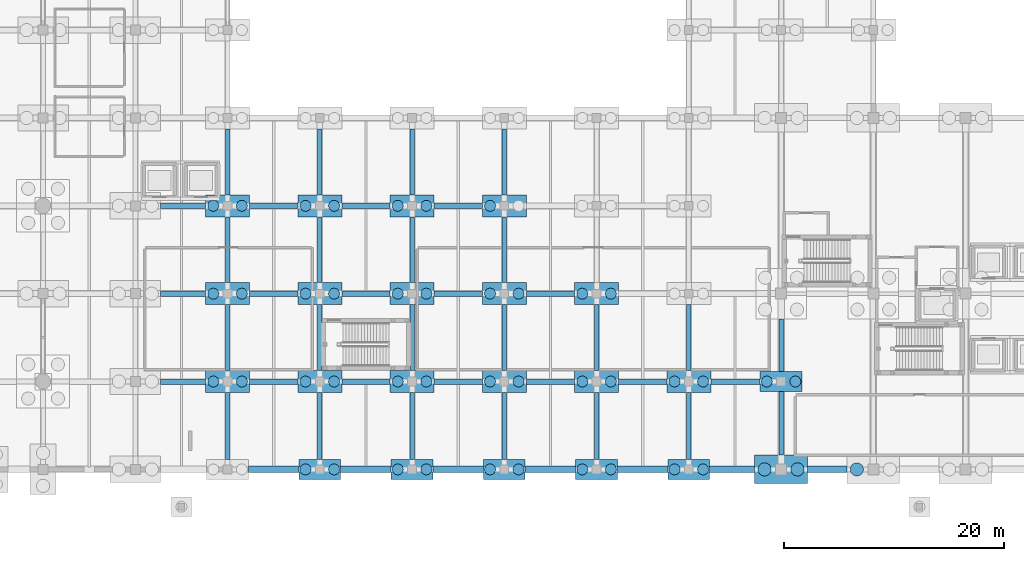
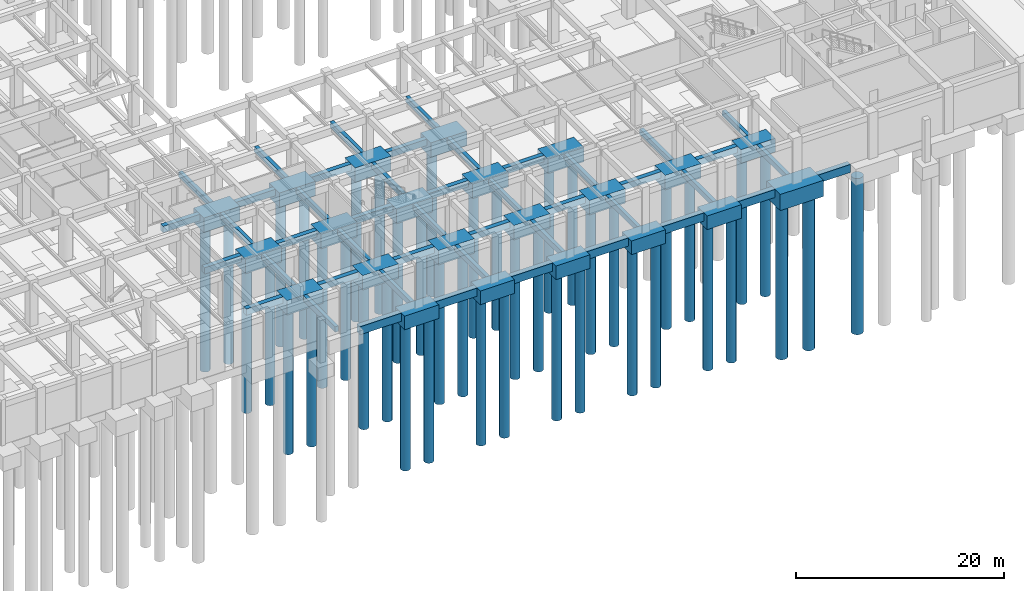
# One storey, part 4 of 56: 67 footings, 44 piles.
"""IFC4 building model written with IfcOpenShell, lengths in metres."""

from ifc_helpers import new_model, si_unit, direction, frame, origin, origin_2d, place, context, subcontext, project, spatial, rectangle, circle, extrude, material, material_profile, profile_set, type_object, element, save


model = new_model("IFC4")

# Units and contexts
model_context = context("Model", 3, precision=1e-05, world=origin(), true_north=direction((0.0, 1.0)))
body_context = subcontext(model_context, "Body", "Model", "MODEL_VIEW")
ifc_project = project(units=[si_unit("LENGTHUNIT", "METRE"), si_unit("AREAUNIT", "SQUARE_METRE"), si_unit("VOLUMEUNIT", "CUBIC_METRE"), si_unit("PLANEANGLEUNIT", "RADIAN"), si_unit("MASSUNIT", "GRAM", prefix="KILO")], contexts=[model_context])

# Site, building, storey
site_placement = place(None, origin())
site = spatial("IfcSite", under=ifc_project, at=site_placement, CompositionType="ELEMENT")
building_placement = place(site_placement, origin())
building = spatial("IfcBuilding", under=site, at=building_placement, Name="Naruveol Harbour Congress Hotel", CompositionType="ELEMENT")
storey_placement = place(building_placement, frame((0.0, 0.0, -5.39990234375)))
storey = spatial("IfcBuildingStorey", under=building, at=storey_placement, Name="B01", CompositionType="ELEMENT", Elevation=-5.39990234375)

# Piles
ifc_material_1 = material(Name="Concrete C40/50", Category="concrete")
ifc_material_profile_1 = material_profile(ifc_material_1, circle(Radius=0.5, at=origin_2d()), Name="BP-1000")
ifc_profile_set_1 = profile_set([ifc_material_profile_1], Name="Concrete C40/50")
pile_type_1 = type_object("IfcPileType", Name="BORED ROCK SOCKETED PILE D1000", PredefinedType="BORED", material=ifc_profile_set_1)
for number, where, z_axis, x_axis, name in (
    (1, (65.89990234375, 8.0, -1.550048828125), (0.0, 0.0, -1.0), (1.0, 0.0, 0.0), "Bored pile BP-1000 #1 under FTG-CAP-0672-0080"),
    (2, (68.5, 8.0, -1.550048828125), (0.0, 0.0, -1.0), (1.0, 0.0, 0.0), "Bored pile BP-1000 #2 under FTG-CAP-0672-0080"),
    (3, (65.89990234375, 16.0, -1.550048828125), (0.0, 0.0, -1.0), (1.0, 0.0, 0.0), "Bored pile BP-1000 #1 under FTG-CAP-0672-0160"),
    (4, (68.5, 16.0, -1.550048828125), (0.0, 0.0, -1.0), (1.0, 0.0, 0.0), "Bored pile BP-1000 #2 under FTG-CAP-0672-0160"),
    (5, (65.89990234375, 24.0, -1.550048828125), (0.0, 0.0, -1.0), (1.0, 0.0, 0.0), "Bored pile BP-1000 #1 under FTG-CAP-0672-0240"),
    (6, (68.5, 24.0, -1.550048828125), (0.0, 0.0, -1.0), (1.0, 0.0, 0.0), "Bored pile BP-1000 #2 under FTG-CAP-0672-0240"),
):
    element("IfcPile", number, at=place(storey_placement, frame(where, z_axis=z_axis, x_axis=x_axis)), inside=storey, type_object=pile_type_1, Name=name, PredefinedType="BORED", context=body_context, shape_type="SweptSolid", body=[
        extrude(circle(Radius=0.5, at=origin_2d()), origin(), (0.0, 0.0, 1.0), 17.050048828125),
    ])
for number, where, z_axis, x_axis, name in (
    (7, (74.300048828125, 0.0, -1.4501953125), (0.0, 0.0, -1.0), (1.0, 0.0, 0.0), "Bored pile BP-1000 #1 under FTG-CAP-0756-0000"),
    (8, (76.89990234375, 0.0, -1.4501953125), (0.0, 0.0, -1.0), (1.0, 0.0, 0.0), "Bored pile BP-1000 #2 under FTG-CAP-0756-0000"),
):
    element("IfcPile", number, at=place(storey_placement, frame(where, z_axis=z_axis, x_axis=x_axis)), inside=storey, type_object=pile_type_1, Name=name, PredefinedType="BORED", context=body_context, shape_type="SweptSolid", body=[
        extrude(circle(Radius=0.5, at=origin_2d()), origin(), (0.0, 0.0, 1.0), 17.14990234375),
    ])
for number, where, z_axis, x_axis, name in (
    (9, (74.300048828125, 8.0, -1.550048828125), (0.0, 0.0, -1.0), (1.0, 0.0, 0.0), "Bored pile BP-1000 #1 under FTG-CAP-0756-0080"),
    (10, (76.89990234375, 8.0, -1.550048828125), (0.0, 0.0, -1.0), (1.0, 0.0, 0.0), "Bored pile BP-1000 #2 under FTG-CAP-0756-0080"),
    (11, (74.300048828125, 16.0, -1.550048828125), (0.0, 0.0, -1.0), (1.0, 0.0, 0.0), "Bored pile BP-1000 #1 under FTG-CAP-0756-0160"),
    (12, (76.89990234375, 16.0, -1.550048828125), (0.0, 0.0, -1.0), (1.0, 0.0, 0.0), "Bored pile BP-1000 #2 under FTG-CAP-0756-0160"),
    (13, (74.300048828125, 24.0, -1.550048828125), (0.0, 0.0, -1.0), (1.0, 0.0, 0.0), "Bored pile BP-1000 #1 under FTG-CAP-0756-0240"),
    (14, (76.89990234375, 24.0, -1.550048828125), (0.0, 0.0, -1.0), (1.0, 0.0, 0.0), "Bored pile BP-1000 #2 under FTG-CAP-0756-0240"),
):
    element("IfcPile", number, at=place(storey_placement, frame(where, z_axis=z_axis, x_axis=x_axis)), inside=storey, type_object=pile_type_1, Name=name, PredefinedType="BORED", context=body_context, shape_type="SweptSolid", body=[
        extrude(circle(Radius=0.5, at=origin_2d()), origin(), (0.0, 0.0, 1.0), 17.050048828125),
    ])
for number, where, z_axis, x_axis, name in (
    (15, (82.699951171875, 0.0, -1.4501953125), (0.0, 0.0, -1.0), (1.0, 0.0, 0.0), "Bored pile BP-1000 #1 under FTG-CAP-0840-0000"),
    (16, (85.300048828125, 0.0, -1.4501953125), (0.0, 0.0, -1.0), (1.0, 0.0, 0.0), "Bored pile BP-1000 #2 under FTG-CAP-0840-0000"),
):
    element("IfcPile", number, at=place(storey_placement, frame(where, z_axis=z_axis, x_axis=x_axis)), inside=storey, type_object=pile_type_1, Name=name, PredefinedType="BORED", context=body_context, shape_type="SweptSolid", body=[
        extrude(circle(Radius=0.5, at=origin_2d()), origin(), (0.0, 0.0, 1.0), 17.14990234375),
    ])
for number, where, z_axis, x_axis, name in (
    (17, (82.699951171875, 8.0, -1.550048828125), (0.0, 0.0, -1.0), (1.0, 0.0, 0.0), "Bored pile BP-1000 #1 under FTG-CAP-0840-0080"),
    (18, (85.300048828125, 8.0, -1.550048828125), (0.0, 0.0, -1.0), (1.0, 0.0, 0.0), "Bored pile BP-1000 #2 under FTG-CAP-0840-0080"),
    (19, (82.699951171875, 16.0, -1.550048828125), (0.0, 0.0, -1.0), (1.0, 0.0, 0.0), "Bored pile BP-1000 #1 under FTG-CAP-0840-0160"),
    (20, (85.300048828125, 16.0, -1.550048828125), (0.0, 0.0, -1.0), (1.0, 0.0, 0.0), "Bored pile BP-1000 #2 under FTG-CAP-0840-0160"),
    (21, (82.699951171875, 24.0, -1.550048828125), (0.0, 0.0, -1.0), (1.0, 0.0, 0.0), "Bored pile BP-1000 #1 under FTG-CAP-0840-0240"),
    (22, (85.300048828125, 24.0, -1.550048828125), (0.0, 0.0, -1.0), (1.0, 0.0, 0.0), "Bored pile BP-1000 #2 under FTG-CAP-0840-0240"),
):
    element("IfcPile", number, at=place(storey_placement, frame(where, z_axis=z_axis, x_axis=x_axis)), inside=storey, type_object=pile_type_1, Name=name, PredefinedType="BORED", context=body_context, shape_type="SweptSolid", body=[
        extrude(circle(Radius=0.5, at=origin_2d()), origin(), (0.0, 0.0, 1.0), 17.050048828125),
    ])
for number, where, z_axis, x_axis, name in (
    (23, (91.10009765625, 0.0, -1.4501953125), (0.0, 0.0, -1.0), (1.0, 0.0, 0.0), "Bored pile BP-1000 #1 under FTG-CAP-0924-0000"),
    (24, (93.699951171875, 0.0, -1.4501953125), (0.0, 0.0, -1.0), (1.0, 0.0, 0.0), "Bored pile BP-1000 #2 under FTG-CAP-0924-0000"),
):
    element("IfcPile", number, at=place(storey_placement, frame(where, z_axis=z_axis, x_axis=x_axis)), inside=storey, type_object=pile_type_1, Name=name, PredefinedType="BORED", context=body_context, shape_type="SweptSolid", body=[
        extrude(circle(Radius=0.5, at=origin_2d()), origin(), (0.0, 0.0, 1.0), 17.14990234375),
    ])
for number, where, z_axis, x_axis, name in (
    (25, (91.10009765625, 8.0, -1.550048828125), (0.0, 0.0, -1.0), (1.0, 0.0, 0.0), "Bored pile BP-1000 #1 under FTG-CAP-0924-0080"),
    (26, (93.699951171875, 8.0, -1.550048828125), (0.0, 0.0, -1.0), (1.0, 0.0, 0.0), "Bored pile BP-1000 #2 under FTG-CAP-0924-0080"),
    (27, (91.10009765625, 16.0, -1.550048828125), (0.0, 0.0, -1.0), (1.0, 0.0, 0.0), "Bored pile BP-1000 #1 under FTG-CAP-0924-0160"),
    (28, (93.699951171875, 16.0, -1.550048828125), (0.0, 0.0, -1.0), (1.0, 0.0, 0.0), "Bored pile BP-1000 #2 under FTG-CAP-0924-0160"),
    (29, (91.10009765625, 24.0, -1.550048828125), (0.0, 0.0, -1.0), (1.0, 0.0, 0.0), "Bored pile BP-1000 #1 under FTG-CAP-0924-0240"),
):
    element("IfcPile", number, at=place(storey_placement, frame(where, z_axis=z_axis, x_axis=x_axis)), inside=storey, type_object=pile_type_1, Name=name, PredefinedType="BORED", context=body_context, shape_type="SweptSolid", body=[
        extrude(circle(Radius=0.5, at=origin_2d()), origin(), (0.0, 0.0, 1.0), 17.050048828125),
    ])
for number, where, z_axis, x_axis, name in (
    (30, (99.5, 0.0, -1.4501953125), (0.0, 0.0, -1.0), (1.0, 0.0, 0.0), "Bored pile BP-1000 #1 under FTG-CAP-1008-0000"),
    (31, (102.10009765625, 0.0, -1.4501953125), (0.0, 0.0, -1.0), (1.0, 0.0, 0.0), "Bored pile BP-1000 #2 under FTG-CAP-1008-0000"),
):
    element("IfcPile", number, at=place(storey_placement, frame(where, z_axis=z_axis, x_axis=x_axis)), inside=storey, type_object=pile_type_1, Name=name, PredefinedType="BORED", context=body_context, shape_type="SweptSolid", body=[
        extrude(circle(Radius=0.5, at=origin_2d()), origin(), (0.0, 0.0, 1.0), 17.14990234375),
    ])
for number, where, z_axis, x_axis, name in (
    (32, (99.5, 8.0, -1.550048828125), (0.0, 0.0, -1.0), (1.0, 0.0, 0.0), "Bored pile BP-1000 #1 under FTG-CAP-1008-0080"),
    (33, (102.10009765625, 8.0, -1.550048828125), (0.0, 0.0, -1.0), (1.0, 0.0, 0.0), "Bored pile BP-1000 #2 under FTG-CAP-1008-0080"),
    (34, (99.5, 16.0, -1.550048828125), (0.0, 0.0, -1.0), (1.0, 0.0, 0.0), "Bored pile BP-1000 #1 under FTG-CAP-1008-0160"),
    (35, (102.10009765625, 16.0, -1.550048828125), (0.0, 0.0, -1.0), (1.0, 0.0, 0.0), "Bored pile BP-1000 #2 under FTG-CAP-1008-0160"),
):
    element("IfcPile", number, at=place(storey_placement, frame(where, z_axis=z_axis, x_axis=x_axis)), inside=storey, type_object=pile_type_1, Name=name, PredefinedType="BORED", context=body_context, shape_type="SweptSolid", body=[
        extrude(circle(Radius=0.5, at=origin_2d()), origin(), (0.0, 0.0, 1.0), 17.050048828125),
    ])
for number, where, z_axis, x_axis, name in (
    (36, (107.89990234375, 0.0, -1.4501953125), (0.0, 0.0, -1.0), (1.0, 0.0, 0.0), "Bored pile BP-1000 #1 under FTG-CAP-1092-0000"),
    (37, (110.5, 0.0, -1.4501953125), (0.0, 0.0, -1.0), (1.0, 0.0, 0.0), "Bored pile BP-1000 #2 under FTG-CAP-1092-0000"),
):
    element("IfcPile", number, at=place(storey_placement, frame(where, z_axis=z_axis, x_axis=x_axis)), inside=storey, type_object=pile_type_1, Name=name, PredefinedType="BORED", context=body_context, shape_type="SweptSolid", body=[
        extrude(circle(Radius=0.5, at=origin_2d()), origin(), (0.0, 0.0, 1.0), 17.14990234375),
    ])
for number, where, z_axis, x_axis, name in (
    (38, (107.89990234375, 8.0, -1.550048828125), (0.0, 0.0, -1.0), (1.0, 0.0, 0.0), "Bored pile BP-1000 #1 under FTG-CAP-1092-0080"),
    (39, (110.5, 8.0, -1.550048828125), (0.0, 0.0, -1.0), (1.0, 0.0, 0.0), "Bored pile BP-1000 #2 under FTG-CAP-1092-0080"),
):
    element("IfcPile", number, at=place(storey_placement, frame(where, z_axis=z_axis, x_axis=x_axis)), inside=storey, type_object=pile_type_1, Name=name, PredefinedType="BORED", context=body_context, shape_type="SweptSolid", body=[
        extrude(circle(Radius=0.5, at=origin_2d()), origin(), (0.0, 0.0, 1.0), 17.050048828125),
    ])
for number, where, z_axis, x_axis, name in (
    (40, (116.300048828125, 8.0, -1.4501953125), (0.0, 0.0, -1.0), (1.0, 0.0, 0.0), "Bored pile BP-1000 #1 under FTG-CAP-1176-0080"),
    (41, (118.89990234375, 8.0, -1.4501953125), (0.0, 0.0, -1.0), (1.0, 0.0, 0.0), "Bored pile BP-1000 #2 under FTG-CAP-1176-0080"),
):
    element("IfcPile", number, at=place(storey_placement, frame(where, z_axis=z_axis, x_axis=x_axis)), inside=storey, type_object=pile_type_1, Name=name, PredefinedType="BORED", context=body_context, shape_type="SweptSolid", body=[
        extrude(circle(Radius=0.5, at=origin_2d()), origin(), (0.0, 0.0, 1.0), 17.14990234375),
    ])
ifc_material_2 = material(Name="Concrete C40/50", Category="concrete")
ifc_material_profile_2 = material_profile(ifc_material_2, circle(Radius=0.60009765625, at=origin_2d()), Name="BP-1200")
ifc_profile_set_2 = profile_set([ifc_material_profile_2], Name="Concrete C40/50")
pile_type_2 = type_object("IfcPileType", Name="BORED ROCK SOCKETED PILE D1200", PredefinedType="BORED", material=ifc_profile_set_2)
for number, where, z_axis, x_axis, name in (
    (42, (116.10009765625, 0.0, -1.75), (0.0, 0.0, -1.0), (1.0, 0.0, 0.0), "Bored pile BP-1200 #1 under FTG-CAP-1176-0000"),
    (43, (119.10009765625, 0.0, -1.75), (0.0, 0.0, -1.0), (1.0, 0.0, 0.0), "Bored pile BP-1200 #2 under FTG-CAP-1176-0000"),
    (44, (124.5, 0.0, -1.75), (0.0, 0.0, -1.0), (1.0, 0.0, 0.0), "Bored pile BP-1200 #1 under FTG-CAP-1260-0000"),
):
    element("IfcPile", number, at=place(storey_placement, frame(where, z_axis=z_axis, x_axis=x_axis)), inside=storey, type_object=pile_type_2, Name=name, PredefinedType="BORED", context=body_context, shape_type="SweptSolid", body=[
        extrude(circle(Radius=0.60009765625, at=origin_2d()), origin(), (0.0, 0.0, 1.0), 18.35009765625),
    ])

# Footings
ifc_material_3 = material(Name="Concrete C40/50", Category="concrete")
footing_type_1 = type_object("IfcFootingType", Name="RC COLONNADE PILE CAP 3800X1800X1600", PredefinedType="PILE_CAP", material=ifc_material_3)
for number, where, z_axis, x_axis, name in (
    (45, (75.60009765625, 0.0, -1.60009765625), (0.0, 0.0, 1.0), (1.0, 0.0, 0.0), "Pile cap PC8 at (75.6, 0.0)"),
    (46, (84.0, 0.0, -1.60009765625), (0.0, 0.0, 1.0), (1.0, 0.0, 0.0), "Pile cap PC8 at (84.0, 0.0)"),
    (47, (92.39990234375, 0.0, -1.60009765625), (0.0, 0.0, 1.0), (1.0, 0.0, 0.0), "Pile cap PC8 at (92.4, 0.0)"),
    (48, (100.800048828125, 0.0, -1.60009765625), (0.0, 0.0, 1.0), (1.0, 0.0, 0.0), "Pile cap PC8 at (100.8, 0.0)"),
    (49, (109.199951171875, 0.0, -1.60009765625), (0.0, 0.0, 1.0), (1.0, 0.0, 0.0), "Pile cap PC8 at (109.2, 0.0)"),
    (50, (117.60009765625, 8.0, -1.60009765625), (0.0, 0.0, 1.0), (1.0, 0.0, 0.0), "Pile cap PC8 at (117.6, 8.0)"),
):
    element("IfcFooting", number, at=place(storey_placement, frame(where, z_axis=z_axis, x_axis=x_axis)), inside=storey, type_object=footing_type_1, Name=name, PredefinedType="PILE_CAP", context=body_context, shape_type="SweptSolid", body=[
        extrude(rectangle(XDim=3.800048828125, YDim=1.800048828125, at=origin_2d()), origin(), (0.0, 0.0, 1.0), 1.60009765625),
    ])
ifc_material_4 = material(Name="Concrete C40/50", Category="concrete")
ifc_material_profile_3 = material_profile(ifc_material_4, rectangle(XDim=0.39990234375, YDim=0.64990234375, at=origin_2d()), Name="RCB-400x650")
ifc_profile_set_3 = profile_set([ifc_material_profile_3], Name="Concrete C40/50")
footing_type_2 = type_object("IfcFootingType", Name="RC COLONNADE TIE BEAM 400X650", PredefinedType="FOOTING_BEAM", material=ifc_profile_set_3)
footing_1_placement = place(storey_placement, frame((67.199951171875, 0.89990234375, -0.3251953125), z_axis=(0.0, 1.0, 0.0), x_axis=(-1.0, 0.0, 0.0)))
element("IfcFooting", 51, at=footing_1_placement, inside=storey, type_object=footing_type_2, Name="Foundation tie beam TB4 #334", PredefinedType="FOOTING_BEAM", context=body_context, shape_type="SweptSolid", body=[
    extrude(rectangle(XDim=0.39990234375, YDim=0.64990234375, at=origin_2d()), origin(), (0.0, 0.0, 1.0), 6.10009765625),
])
for number, where, z_axis, x_axis, name in (
    (52, (67.199951171875, 9.0, -0.3251953125), (0.0, 1.0, 0.0), (-1.0, 0.0, 0.0), "Foundation tie beam TB4 #335"),
    (53, (67.199951171875, 17.0, -0.3251953125), (0.0, 1.0, 0.0), (-1.0, 0.0, 0.0), "Foundation tie beam TB4 #336"),
    (54, (67.199951171875, 25.0, -0.3251953125), (0.0, 1.0, 0.0), (-1.0, 0.0, 0.0), "Foundation tie beam TB4 #337"),
):
    element("IfcFooting", number, at=place(storey_placement, frame(where, z_axis=z_axis, x_axis=x_axis)), inside=storey, type_object=footing_type_2, Name=name, PredefinedType="FOOTING_BEAM", context=body_context, shape_type="SweptSolid", body=[
        extrude(rectangle(XDim=0.39990234375, YDim=0.64990234375, at=origin_2d()), origin(), (0.0, 0.0, 1.0), 6.0),
    ])
footing_2_placement = place(storey_placement, frame((75.60009765625, 0.89990234375, -0.3251953125), z_axis=(0.0, 1.0, 0.0), x_axis=(-1.0, 0.0, 0.0)))
element("IfcFooting", 55, at=footing_2_placement, inside=storey, type_object=footing_type_2, Name="Foundation tie beam TB4 #348", PredefinedType="FOOTING_BEAM", context=body_context, shape_type="SweptSolid", body=[
    extrude(rectangle(XDim=0.39990234375, YDim=0.64990234375, at=origin_2d()), origin(), (0.0, 0.0, 1.0), 6.10009765625),
])
for number, where, z_axis, x_axis, name in (
    (56, (75.60009765625, 9.0, -0.3251953125), (0.0, 1.0, 0.0), (-1.0, 0.0, 0.0), "Foundation tie beam TB4 #349"),
    (57, (75.60009765625, 17.0, -0.3251953125), (0.0, 1.0, 0.0), (-1.0, 0.0, 0.0), "Foundation tie beam TB4 #350"),
    (58, (75.60009765625, 25.0, -0.3251953125), (0.0, 1.0, 0.0), (-1.0, 0.0, 0.0), "Foundation tie beam TB4 #351"),
):
    element("IfcFooting", number, at=place(storey_placement, frame(where, z_axis=z_axis, x_axis=x_axis)), inside=storey, type_object=footing_type_2, Name=name, PredefinedType="FOOTING_BEAM", context=body_context, shape_type="SweptSolid", body=[
        extrude(rectangle(XDim=0.39990234375, YDim=0.64990234375, at=origin_2d()), origin(), (0.0, 0.0, 1.0), 6.0),
    ])
footing_3_placement = place(storey_placement, frame((84.0, 0.89990234375, -0.3251953125), z_axis=(0.0, 1.0, 0.0), x_axis=(-1.0, 0.0, 0.0)))
element("IfcFooting", 59, at=footing_3_placement, inside=storey, type_object=footing_type_2, Name="Foundation tie beam TB4 #358", PredefinedType="FOOTING_BEAM", context=body_context, shape_type="SweptSolid", body=[
    extrude(rectangle(XDim=0.39990234375, YDim=0.64990234375, at=origin_2d()), origin(), (0.0, 0.0, 1.0), 6.10009765625),
])
for number, where, z_axis, x_axis, name in (
    (60, (84.0, 9.0, -0.3251953125), (0.0, 1.0, 0.0), (-1.0, 0.0, 0.0), "Foundation tie beam TB4 #359"),
    (61, (84.0, 17.0, -0.3251953125), (0.0, 1.0, 0.0), (-1.0, 0.0, 0.0), "Foundation tie beam TB4 #360"),
    (62, (84.0, 25.0, -0.3251953125), (0.0, 1.0, 0.0), (-1.0, 0.0, 0.0), "Foundation tie beam TB4 #361"),
):
    element("IfcFooting", number, at=place(storey_placement, frame(where, z_axis=z_axis, x_axis=x_axis)), inside=storey, type_object=footing_type_2, Name=name, PredefinedType="FOOTING_BEAM", context=body_context, shape_type="SweptSolid", body=[
        extrude(rectangle(XDim=0.39990234375, YDim=0.64990234375, at=origin_2d()), origin(), (0.0, 0.0, 1.0), 6.0),
    ])
footing_4_placement = place(storey_placement, frame((92.39990234375, 0.89990234375, -0.3251953125), z_axis=(0.0, 1.0, 0.0), x_axis=(-1.0, 0.0, 0.0)))
element("IfcFooting", 63, at=footing_4_placement, inside=storey, type_object=footing_type_2, Name="Foundation tie beam TB4 #368", PredefinedType="FOOTING_BEAM", context=body_context, shape_type="SweptSolid", body=[
    extrude(rectangle(XDim=0.39990234375, YDim=0.64990234375, at=origin_2d()), origin(), (0.0, 0.0, 1.0), 6.10009765625),
])
for number, where, z_axis, x_axis, name in (
    (64, (92.39990234375, 9.0, -0.3251953125), (0.0, 1.0, 0.0), (-1.0, 0.0, 0.0), "Foundation tie beam TB4 #369"),
    (65, (92.39990234375, 17.0, -0.3251953125), (0.0, 1.0, 0.0), (-1.0, 0.0, 0.0), "Foundation tie beam TB4 #370"),
    (66, (92.39990234375, 25.0, -0.3251953125), (0.0, 1.0, 0.0), (-1.0, 0.0, 0.0), "Foundation tie beam TB4 #371"),
):
    element("IfcFooting", number, at=place(storey_placement, frame(where, z_axis=z_axis, x_axis=x_axis)), inside=storey, type_object=footing_type_2, Name=name, PredefinedType="FOOTING_BEAM", context=body_context, shape_type="SweptSolid", body=[
        extrude(rectangle(XDim=0.39990234375, YDim=0.64990234375, at=origin_2d()), origin(), (0.0, 0.0, 1.0), 6.0),
    ])
footing_5_placement = place(storey_placement, frame((100.800048828125, 0.89990234375, -0.3251953125), z_axis=(0.0, 1.0, 0.0), x_axis=(-1.0, 0.0, 0.0)))
element("IfcFooting", 67, at=footing_5_placement, inside=storey, type_object=footing_type_2, Name="Foundation tie beam TB4 #378", PredefinedType="FOOTING_BEAM", context=body_context, shape_type="SweptSolid", body=[
    extrude(rectangle(XDim=0.39990234375, YDim=0.64990234375, at=origin_2d()), origin(), (0.0, 0.0, 1.0), 6.10009765625),
])
footing_6_placement = place(storey_placement, frame((100.800048828125, 9.0, -0.3251953125), z_axis=(0.0, 1.0, 0.0), x_axis=(-1.0, 0.0, 0.0)))
element("IfcFooting", 68, at=footing_6_placement, inside=storey, type_object=footing_type_2, Name="Foundation tie beam TB4 #379", PredefinedType="FOOTING_BEAM", context=body_context, shape_type="SweptSolid", body=[
    extrude(rectangle(XDim=0.39990234375, YDim=0.64990234375, at=origin_2d()), origin(), (0.0, 0.0, 1.0), 6.0),
])
footing_7_placement = place(storey_placement, frame((109.199951171875, 0.89990234375, -0.3251953125), z_axis=(0.0, 1.0, 0.0), x_axis=(-1.0, 0.0, 0.0)))
element("IfcFooting", 69, at=footing_7_placement, inside=storey, type_object=footing_type_2, Name="Foundation tie beam TB4 #388", PredefinedType="FOOTING_BEAM", context=body_context, shape_type="SweptSolid", body=[
    extrude(rectangle(XDim=0.39990234375, YDim=0.64990234375, at=origin_2d()), origin(), (0.0, 0.0, 1.0), 6.10009765625),
])
footing_8_placement = place(storey_placement, frame((109.199951171875, 9.0, -0.3251953125), z_axis=(0.0, 1.0, 0.0), x_axis=(-1.0, 0.0, 0.0)))
element("IfcFooting", 70, at=footing_8_placement, inside=storey, type_object=footing_type_2, Name="Foundation tie beam TB4 #389", PredefinedType="FOOTING_BEAM", context=body_context, shape_type="SweptSolid", body=[
    extrude(rectangle(XDim=0.39990234375, YDim=0.64990234375, at=origin_2d()), origin(), (0.0, 0.0, 1.0), 6.0),
])
footing_9_placement = place(storey_placement, frame((117.60009765625, 1.300048828125, -0.3251953125), z_axis=(0.0, 1.0, 0.0), x_axis=(-1.0, 0.0, 0.0)))
element("IfcFooting", 71, at=footing_9_placement, inside=storey, type_object=footing_type_2, Name="Foundation tie beam TB4 #402", PredefinedType="FOOTING_BEAM", context=body_context, shape_type="SweptSolid", body=[
    extrude(rectangle(XDim=0.39990234375, YDim=0.64990234375, at=origin_2d()), origin(), (0.0, 0.0, 1.0), 5.800048828125),
])
footing_10_placement = place(storey_placement, frame((117.60009765625, 8.89990234375, -0.3251953125), z_axis=(0.0, 1.0, 0.0), x_axis=(-1.0, 0.0, 0.0)))
element("IfcFooting", 72, at=footing_10_placement, inside=storey, type_object=footing_type_2, Name="Foundation tie beam TB4 #403", PredefinedType="FOOTING_BEAM", context=body_context, shape_type="SweptSolid", body=[
    extrude(rectangle(XDim=0.39990234375, YDim=0.64990234375, at=origin_2d()), origin(), (0.0, 0.0, 1.0), 4.800048828125),
])
ifc_material_5 = material(Name="Concrete C40/50", Category="concrete")
ifc_material_profile_4 = material_profile(ifc_material_5, rectangle(XDim=0.5, YDim=0.75, at=origin_2d()), Name="RCB-500x750")
ifc_profile_set_4 = profile_set([ifc_material_profile_4], Name="Concrete C40/50")
footing_type_3 = type_object("IfcFootingType", Name="RC FOUNDATION TIE BEAM 500X750", PredefinedType="FOOTING_BEAM", material=ifc_profile_set_4)
footing_11_placement = place(storey_placement, frame((61.10009765625, 8.0, -0.375), z_axis=(1.0, 0.0, 0.0), x_axis=(0.0, 1.0, 0.0)))
element("IfcFooting", 73, at=footing_11_placement, inside=storey, type_object=footing_type_3, Name="Foundation tie beam TB2 #31", PredefinedType="FOOTING_BEAM", context=body_context, shape_type="SweptSolid", body=[
    extrude(rectangle(XDim=0.5, YDim=0.75, at=origin_2d()), origin(), (0.0, 0.0, 1.0), 4.099853515625),
])
footing_12_placement = place(storey_placement, frame((69.199951171875, 8.0, -0.375), z_axis=(1.0, 0.0, 0.0), x_axis=(0.0, 1.0, 0.0)))
element("IfcFooting", 74, at=footing_12_placement, inside=storey, type_object=footing_type_3, Name="Foundation tie beam TB2 #32", PredefinedType="FOOTING_BEAM", context=body_context, shape_type="SweptSolid", body=[
    extrude(rectangle(XDim=0.5, YDim=0.75, at=origin_2d()), origin(), (0.0, 0.0, 1.0), 4.400146484375),
])
for number, where, z_axis, x_axis, name in (
    (75, (77.60009765625, 8.0, -0.375), (1.0, 0.0, 0.0), (0.0, 1.0, 0.0), "Foundation tie beam TB2 #33"),
    (76, (86.0, 8.0, -0.375), (1.0, 0.0, 0.0), (0.0, 1.0, 0.0), "Foundation tie beam TB2 #34"),
):
    element("IfcFooting", number, at=place(storey_placement, frame(where, z_axis=z_axis, x_axis=x_axis)), inside=storey, type_object=footing_type_3, Name=name, PredefinedType="FOOTING_BEAM", context=body_context, shape_type="SweptSolid", body=[
        extrude(rectangle(XDim=0.5, YDim=0.75, at=origin_2d()), origin(), (0.0, 0.0, 1.0), 4.39990234375),
    ])
footing_13_placement = place(storey_placement, frame((94.39990234375, 8.0, -0.375), z_axis=(1.0, 0.0, 0.0), x_axis=(0.0, 1.0, 0.0)))
element("IfcFooting", 77, at=footing_13_placement, inside=storey, type_object=footing_type_3, Name="Foundation tie beam TB2 #35", PredefinedType="FOOTING_BEAM", context=body_context, shape_type="SweptSolid", body=[
    extrude(rectangle(XDim=0.5, YDim=0.75, at=origin_2d()), origin(), (0.0, 0.0, 1.0), 4.400146484375),
])
footing_14_placement = place(storey_placement, frame((102.800048828125, 8.0, -0.375), z_axis=(1.0, 0.0, 0.0), x_axis=(0.0, 1.0, 0.0)))
element("IfcFooting", 78, at=footing_14_placement, inside=storey, type_object=footing_type_3, Name="Foundation tie beam TB2 #36", PredefinedType="FOOTING_BEAM", context=body_context, shape_type="SweptSolid", body=[
    extrude(rectangle(XDim=0.5, YDim=0.75, at=origin_2d()), origin(), (0.0, 0.0, 1.0), 4.39990234375),
])
footing_15_placement = place(storey_placement, frame((111.199951171875, 8.0, -0.375), z_axis=(1.0, 0.0, 0.0), x_axis=(0.0, 1.0, 0.0)))
element("IfcFooting", 79, at=footing_15_placement, inside=storey, type_object=footing_type_3, Name="Foundation tie beam TB2 #37", PredefinedType="FOOTING_BEAM", context=body_context, shape_type="SweptSolid", body=[
    extrude(rectangle(XDim=0.5, YDim=0.75, at=origin_2d()), origin(), (0.0, 0.0, 1.0), 4.5),
])
footing_16_placement = place(storey_placement, frame((61.10009765625, 16.0, -0.375), z_axis=(1.0, 0.0, 0.0), x_axis=(0.0, 1.0, 0.0)))
element("IfcFooting", 80, at=footing_16_placement, inside=storey, type_object=footing_type_3, Name="Foundation tie beam TB2 #46", PredefinedType="FOOTING_BEAM", context=body_context, shape_type="SweptSolid", body=[
    extrude(rectangle(XDim=0.5, YDim=0.75, at=origin_2d()), origin(), (0.0, 0.0, 1.0), 4.099853515625),
])
footing_17_placement = place(storey_placement, frame((69.199951171875, 16.0, -0.375), z_axis=(1.0, 0.0, 0.0), x_axis=(0.0, 1.0, 0.0)))
element("IfcFooting", 81, at=footing_17_placement, inside=storey, type_object=footing_type_3, Name="Foundation tie beam TB2 #47", PredefinedType="FOOTING_BEAM", context=body_context, shape_type="SweptSolid", body=[
    extrude(rectangle(XDim=0.5, YDim=0.75, at=origin_2d()), origin(), (0.0, 0.0, 1.0), 4.400146484375),
])
for number, where, z_axis, x_axis, name in (
    (82, (77.60009765625, 16.0, -0.375), (1.0, 0.0, 0.0), (0.0, 1.0, 0.0), "Foundation tie beam TB2 #48"),
    (83, (86.0, 16.0, -0.375), (1.0, 0.0, 0.0), (0.0, 1.0, 0.0), "Foundation tie beam TB2 #49"),
):
    element("IfcFooting", number, at=place(storey_placement, frame(where, z_axis=z_axis, x_axis=x_axis)), inside=storey, type_object=footing_type_3, Name=name, PredefinedType="FOOTING_BEAM", context=body_context, shape_type="SweptSolid", body=[
        extrude(rectangle(XDim=0.5, YDim=0.75, at=origin_2d()), origin(), (0.0, 0.0, 1.0), 4.39990234375),
    ])
footing_18_placement = place(storey_placement, frame((94.39990234375, 16.0, -0.375), z_axis=(1.0, 0.0, 0.0), x_axis=(0.0, 1.0, 0.0)))
element("IfcFooting", 84, at=footing_18_placement, inside=storey, type_object=footing_type_3, Name="Foundation tie beam TB2 #50", PredefinedType="FOOTING_BEAM", context=body_context, shape_type="SweptSolid", body=[
    extrude(rectangle(XDim=0.5, YDim=0.75, at=origin_2d()), origin(), (0.0, 0.0, 1.0), 4.400146484375),
])
footing_19_placement = place(storey_placement, frame((61.10009765625, 24.0, -0.375), z_axis=(1.0, 0.0, 0.0), x_axis=(0.0, 1.0, 0.0)))
element("IfcFooting", 85, at=footing_19_placement, inside=storey, type_object=footing_type_3, Name="Foundation tie beam TB2 #64", PredefinedType="FOOTING_BEAM", context=body_context, shape_type="SweptSolid", body=[
    extrude(rectangle(XDim=0.5, YDim=0.75, at=origin_2d()), origin(), (0.0, 0.0, 1.0), 4.099853515625),
])
footing_20_placement = place(storey_placement, frame((69.199951171875, 24.0, -0.375), z_axis=(1.0, 0.0, 0.0), x_axis=(0.0, 1.0, 0.0)))
element("IfcFooting", 86, at=footing_20_placement, inside=storey, type_object=footing_type_3, Name="Foundation tie beam TB2 #65", PredefinedType="FOOTING_BEAM", context=body_context, shape_type="SweptSolid", body=[
    extrude(rectangle(XDim=0.5, YDim=0.75, at=origin_2d()), origin(), (0.0, 0.0, 1.0), 4.400146484375),
])
for number, where, z_axis, x_axis, name in (
    (87, (77.60009765625, 24.0, -0.375), (1.0, 0.0, 0.0), (0.0, 1.0, 0.0), "Foundation tie beam TB2 #66"),
    (88, (86.0, 24.0, -0.375), (1.0, 0.0, 0.0), (0.0, 1.0, 0.0), "Foundation tie beam TB2 #67"),
):
    element("IfcFooting", number, at=place(storey_placement, frame(where, z_axis=z_axis, x_axis=x_axis)), inside=storey, type_object=footing_type_3, Name=name, PredefinedType="FOOTING_BEAM", context=body_context, shape_type="SweptSolid", body=[
        extrude(rectangle(XDim=0.5, YDim=0.75, at=origin_2d()), origin(), (0.0, 0.0, 1.0), 4.39990234375),
    ])
ifc_material_6 = material(Name="Concrete C40/50", Category="concrete")
ifc_material_profile_5 = material_profile(ifc_material_6, rectangle(XDim=0.60009765625, YDim=0.949951171875, at=origin_2d()), Name="RCB-600x950")
ifc_profile_set_5 = profile_set([ifc_material_profile_5], Name="Concrete C40/50")
footing_type_4 = type_object("IfcFootingType", Name="RC FOUNDATION TIE BEAM 600X900", PredefinedType="FOOTING_BEAM", material=ifc_profile_set_5)
footing_21_placement = place(storey_placement, frame((69.10009765625, 0.0, -0.47509765625), z_axis=(1.0, 0.0, 0.0), x_axis=(0.0, 1.0, 0.0)))
element("IfcFooting", 89, at=footing_21_placement, inside=storey, type_object=footing_type_4, Name="Foundation tie beam TB1 #15", PredefinedType="FOOTING_BEAM", context=body_context, shape_type="SweptSolid", body=[
    extrude(rectangle(XDim=0.60009765625, YDim=0.949951171875, at=origin_2d()), origin(), (0.0, 0.0, 1.0), 4.599853515625),
])
for number, where, z_axis, x_axis, name in (
    (90, (77.5, 0.0, -0.47509765625), (1.0, 0.0, 0.0), (0.0, 1.0, 0.0), "Foundation tie beam TB1 #16"),
    (91, (85.89990234375, 0.0, -0.47509765625), (1.0, 0.0, 0.0), (0.0, 1.0, 0.0), "Foundation tie beam TB1 #17"),
):
    element("IfcFooting", number, at=place(storey_placement, frame(where, z_axis=z_axis, x_axis=x_axis)), inside=storey, type_object=footing_type_4, Name=name, PredefinedType="FOOTING_BEAM", context=body_context, shape_type="SweptSolid", body=[
        extrude(rectangle(XDim=0.60009765625, YDim=0.949951171875, at=origin_2d()), origin(), (0.0, 0.0, 1.0), 4.60009765625),
    ])
footing_22_placement = place(storey_placement, frame((94.300048828125, 0.0, -0.47509765625), z_axis=(1.0, 0.0, 0.0), x_axis=(0.0, 1.0, 0.0)))
element("IfcFooting", 92, at=footing_22_placement, inside=storey, type_object=footing_type_4, Name="Foundation tie beam TB1 #18", PredefinedType="FOOTING_BEAM", context=body_context, shape_type="SweptSolid", body=[
    extrude(rectangle(XDim=0.60009765625, YDim=0.949951171875, at=origin_2d()), origin(), (0.0, 0.0, 1.0), 4.599853515625),
])
footing_23_placement = place(storey_placement, frame((102.699951171875, 0.0, -0.47509765625), z_axis=(1.0, 0.0, 0.0), x_axis=(0.0, 1.0, 0.0)))
element("IfcFooting", 93, at=footing_23_placement, inside=storey, type_object=footing_type_4, Name="Foundation tie beam TB1 #19", PredefinedType="FOOTING_BEAM", context=body_context, shape_type="SweptSolid", body=[
    extrude(rectangle(XDim=0.60009765625, YDim=0.949951171875, at=origin_2d()), origin(), (0.0, 0.0, 1.0), 4.60009765625),
])
footing_24_placement = place(storey_placement, frame((111.10009765625, 0.0, -0.47509765625), z_axis=(1.0, 0.0, 0.0), x_axis=(0.0, 1.0, 0.0)))
element("IfcFooting", 94, at=footing_24_placement, inside=storey, type_object=footing_type_4, Name="Foundation tie beam TB1 #20", PredefinedType="FOOTING_BEAM", context=body_context, shape_type="SweptSolid", body=[
    extrude(rectangle(XDim=0.60009765625, YDim=0.949951171875, at=origin_2d()), origin(), (0.0, 0.0, 1.0), 4.099853515625),
])
footing_25_placement = place(storey_placement, frame((120.0, 0.0, -0.47509765625), z_axis=(1.0, 0.0, 0.0), x_axis=(0.0, 1.0, 0.0)))
element("IfcFooting", 95, at=footing_25_placement, inside=storey, type_object=footing_type_4, Name="Foundation tie beam TB1 #21", PredefinedType="FOOTING_BEAM", context=body_context, shape_type="SweptSolid", body=[
    extrude(rectangle(XDim=0.60009765625, YDim=0.949951171875, at=origin_2d()), origin(), (0.0, 0.0, 1.0), 3.60009765625),
])
ifc_material_7 = material(Name="Concrete C40/50", Category="concrete")
footing_type_5 = type_object("IfcFootingType", Name="RC PODIUM PILE CAP 4000X2000X1700", PredefinedType="PILE_CAP", material=ifc_material_7)
for number, where, z_axis, x_axis, name in (
    (96, (67.199951171875, 8.0, -1.7001953125), (0.0, 0.0, 1.0), (1.0, 0.0, 0.0), "Pile cap PC6 at (67.2, 8.0)"),
    (97, (67.199951171875, 16.0, -1.7001953125), (0.0, 0.0, 1.0), (1.0, 0.0, 0.0), "Pile cap PC6 at (67.2, 16.0)"),
    (98, (67.199951171875, 24.0, -1.7001953125), (0.0, 0.0, 1.0), (1.0, 0.0, 0.0), "Pile cap PC6 at (67.2, 24.0)"),
    (99, (75.60009765625, 8.0, -1.7001953125), (0.0, 0.0, 1.0), (1.0, 0.0, 0.0), "Pile cap PC6 at (75.6, 8.0)"),
    (100, (75.60009765625, 16.0, -1.7001953125), (0.0, 0.0, 1.0), (1.0, 0.0, 0.0), "Pile cap PC6 at (75.6, 16.0)"),
    (101, (75.60009765625, 24.0, -1.7001953125), (0.0, 0.0, 1.0), (1.0, 0.0, 0.0), "Pile cap PC6 at (75.6, 24.0)"),
    (102, (84.0, 8.0, -1.7001953125), (0.0, 0.0, 1.0), (1.0, 0.0, 0.0), "Pile cap PC6 at (84.0, 8.0)"),
    (103, (84.0, 16.0, -1.7001953125), (0.0, 0.0, 1.0), (1.0, 0.0, 0.0), "Pile cap PC6 at (84.0, 16.0)"),
    (104, (84.0, 24.0, -1.7001953125), (0.0, 0.0, 1.0), (1.0, 0.0, 0.0), "Pile cap PC6 at (84.0, 24.0)"),
    (105, (92.39990234375, 8.0, -1.7001953125), (0.0, 0.0, 1.0), (1.0, 0.0, 0.0), "Pile cap PC6 at (92.4, 8.0)"),
    (106, (92.39990234375, 16.0, -1.7001953125), (0.0, 0.0, 1.0), (1.0, 0.0, 0.0), "Pile cap PC6 at (92.4, 16.0)"),
    (107, (92.39990234375, 24.0, -1.7001953125), (0.0, 0.0, 1.0), (1.0, 0.0, 0.0), "Pile cap PC6 at (92.4, 24.0)"),
    (108, (100.800048828125, 8.0, -1.7001953125), (0.0, 0.0, 1.0), (1.0, 0.0, 0.0), "Pile cap PC6 at (100.8, 8.0)"),
    (109, (100.800048828125, 16.0, -1.7001953125), (0.0, 0.0, 1.0), (1.0, 0.0, 0.0), "Pile cap PC6 at (100.8, 16.0)"),
    (110, (109.199951171875, 8.0, -1.7001953125), (0.0, 0.0, 1.0), (1.0, 0.0, 0.0), "Pile cap PC6 at (109.2, 8.0)"),
):
    element("IfcFooting", number, at=place(storey_placement, frame(where, z_axis=z_axis, x_axis=x_axis)), inside=storey, type_object=footing_type_5, Name=name, PredefinedType="PILE_CAP", context=body_context, shape_type="SweptSolid", body=[
        extrude(rectangle(XDim=4.0, YDim=2.0, at=origin_2d()), origin(), (0.0, 0.0, 1.0), 1.699951171875),
    ])
ifc_material_8 = material(Name="Concrete C40/50", Category="concrete")
footing_type_6 = type_object("IfcFootingType", Name="RC TRANSFER PILE CAP 4800X2600X1900", PredefinedType="PILE_CAP", material=ifc_material_8)
footing_26_placement = place(storey_placement, frame((117.60009765625, 0.0, -1.900146484375), z_axis=(0.0, 0.0, 1.0), x_axis=(1.0, 0.0, 0.0)))
element("IfcFooting", 111, at=footing_26_placement, inside=storey, type_object=footing_type_6, Name="Pile cap PC4 at (117.6, 0.0)", PredefinedType="PILE_CAP", context=body_context, shape_type="SweptSolid", body=[
    extrude(rectangle(XDim=4.800048828125, YDim=2.60009765625, at=origin_2d()), origin(), (0.0, 0.0, 1.0), 1.89990234375),
])

save(model, "model.ifc")
